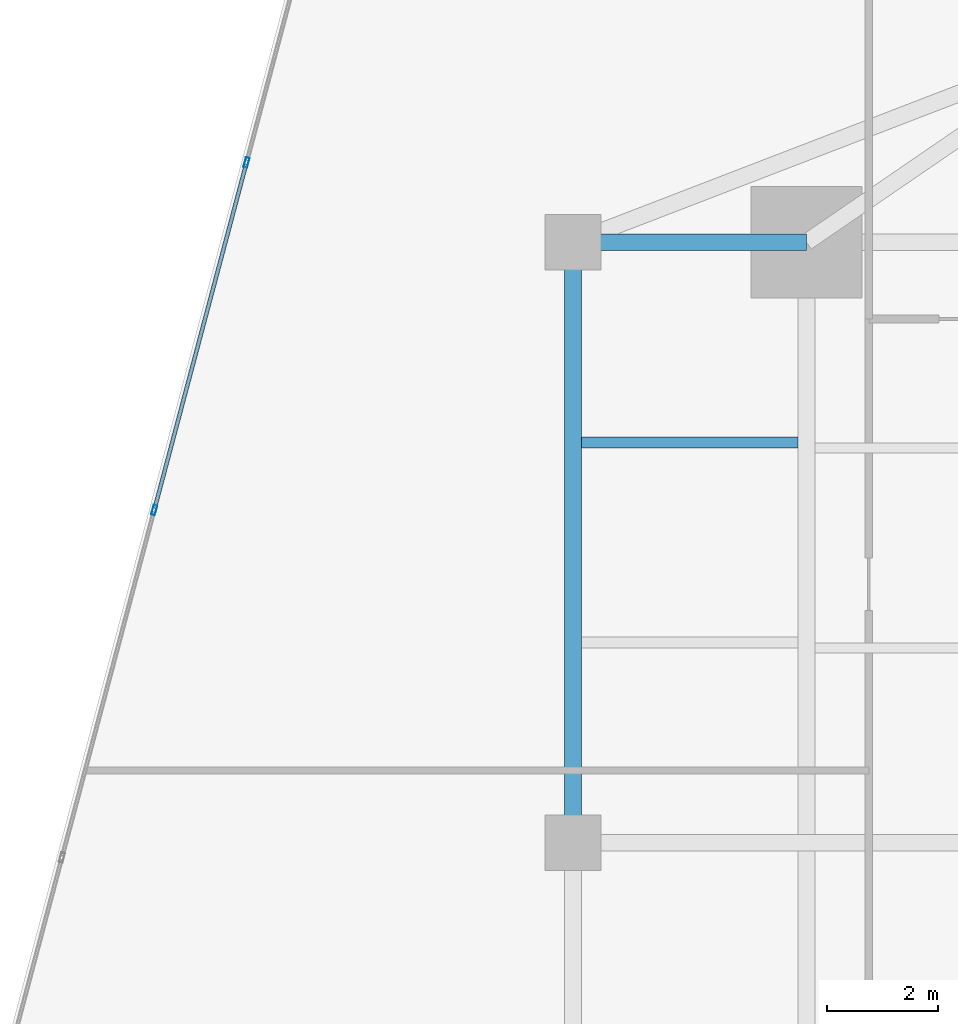
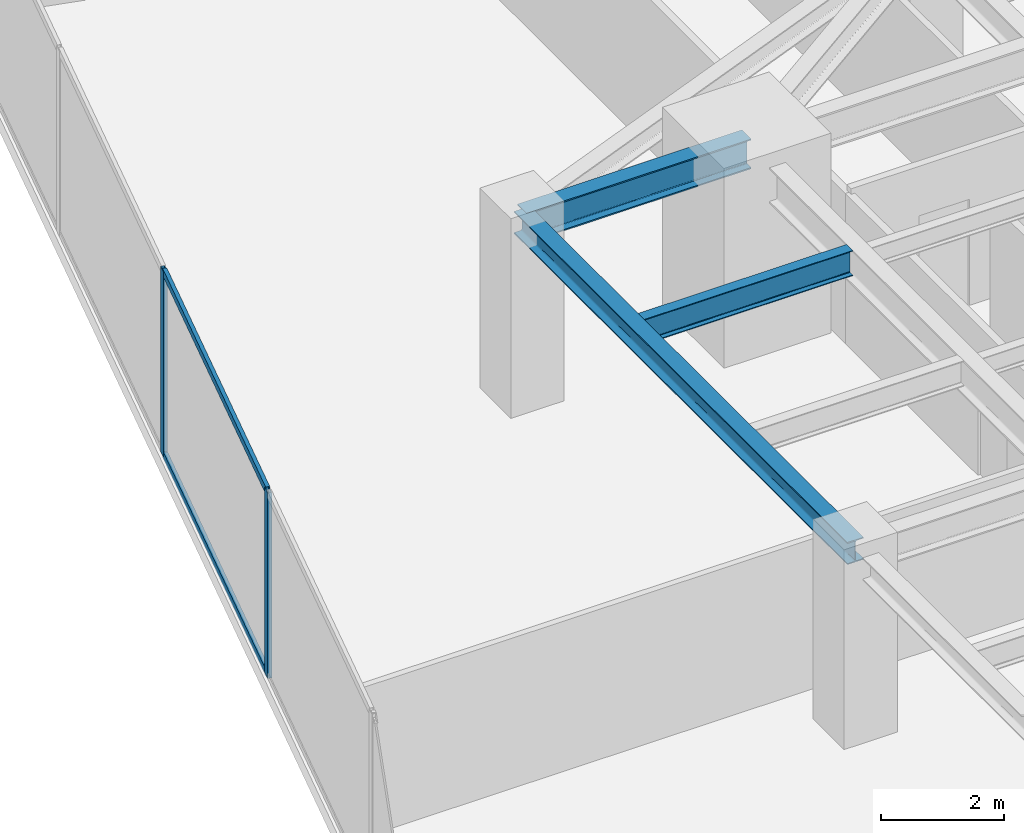
# One storey, part 14 of 27: 4 members, 3 beams, 1 element without a shape of its own.
"""IFC4 building model written with IfcOpenShell, lengths in metres."""

from ifc_helpers import new_model, si_unit, direction, frame, origin, origin_2d, place, context, subcontext, project, spatial, hollow_rectangle, i_section, extrude, source, transform, mapped, material, material_profile, profile_set, type_object, type_shapes, element, aggregate, save


model = new_model("IFC4")

# Units and contexts
model_context = context("Model", 3, precision=1e-05, world=origin(), true_north=direction((0.0, 1.0)))
body_context = subcontext(model_context, "Body", "Model", "MODEL_VIEW")
ifc_project = project(units=[si_unit("LENGTHUNIT", "METRE"), si_unit("AREAUNIT", "SQUARE_METRE"), si_unit("VOLUMEUNIT", "CUBIC_METRE"), si_unit("PLANEANGLEUNIT", "RADIAN"), si_unit("MASSUNIT", "GRAM", prefix="KILO")], contexts=[model_context])

# Site, building, storey
site_placement = place(None, origin())
site = spatial("IfcSite", under=ifc_project, at=site_placement, CompositionType="ELEMENT")
building_placement = place(site_placement, origin())
building = spatial("IfcBuilding", under=site, at=building_placement, Name="Krantzveldt Concourse Tower", CompositionType="ELEMENT")
storey_placement = place(building_placement, frame((0.0, 0.0, 105.85009765625)))
storey = spatial("IfcBuildingStorey", under=building, at=storey_placement, Name="L25", CompositionType="ELEMENT", Elevation=105.85009765625)

# Beams
ifc_material_1 = material(Name="Steel S355JR", Category="steel")
ifc_material_profile_1 = material_profile(ifc_material_1, i_section(OverallWidth=0.300048828125, OverallDepth=0.43994140625, WebThickness=0.011474609375, FlangeThickness=0.02099609375, FilletRadius=0.027099609375, at=origin_2d()), Name="Steel S355JR", Category="steel")
ifc_profile_set_1 = profile_set([ifc_material_profile_1], Name="Steel S355JR - HEA 450")
beam_type_1 = type_object("IfcBeamType", Name="BM-SP-HEA450", PredefinedType="SPANDREL", material=ifc_profile_set_1)
shared_shape_1 = source(origin(), body_context, "Body", "SweptSolid", [
    extrude(i_section(OverallWidth=0.300048828125, OverallDepth=0.43994140625, WebThickness=0.011474609375, FlangeThickness=0.02099609375, FilletRadius=0.027099609375, at=origin_2d()), origin(), (0.0, 0.0, 1.0), 10.800048828125),
])
type_shapes(beam_type_1, [shared_shape_1])
beam_1_placement = place(storey_placement, frame((21.0, 26.699951171875, 3.449951171875), z_axis=(0.0, 1.0, 0.0), x_axis=(-1.0, 0.0, 0.0)))
element("IfcBeam", 1, at=beam_1_placement, inside=storey, type_object=beam_type_1, Name="L25 Tower Girder SP-R02", PredefinedType="SPANDREL", context=body_context, shape_type="MappedRepresentation", body=[
    mapped(shared_shape_1, transform((0.0, 0.0, 0.0), x_axis=(1.0, 0.0, 0.0), y_axis=(0.0, 1.0, 0.0), z_axis=(0.0, 0.0, 1.0), scale=1.0)),
])
ifc_material_profile_2 = material_profile(ifc_material_1, i_section(OverallWidth=0.300048828125, OverallDepth=0.590087890625, WebThickness=0.012939453125, FlangeThickness=0.02490234375, FilletRadius=0.027099609375, at=origin_2d()), Name="Steel S355JR", Category="steel")
ifc_profile_set_2 = profile_set([ifc_material_profile_2], Name="Steel S355JR - HEA 600")
beam_type_2 = type_object("IfcBeamType", Name="BM-B-HEA600", PredefinedType="BEAM", material=ifc_profile_set_2)
shared_shape_2 = source(origin(), body_context, "Body", "SweptSolid", [
    extrude(i_section(OverallWidth=0.300048828125, OverallDepth=0.590087890625, WebThickness=0.012939453125, FlangeThickness=0.02490234375, FilletRadius=0.027099609375, at=origin_2d()), origin(), (0.0, 0.0, 1.0), 4.199951171875),
])
type_shapes(beam_type_2, [shared_shape_2])
beam_2_placement = place(storey_placement, frame((21.0, 37.5, 3.375), z_axis=(1.0, 0.0, 0.0), x_axis=(0.0, 1.0, 0.0)))
element("IfcBeam", 2, at=beam_2_placement, inside=storey, type_object=beam_type_2, Name="L25 Tower Girder BR-RL3", PredefinedType="BEAM", context=body_context, shape_type="MappedRepresentation", body=[
    mapped(shared_shape_2, transform((0.0, 0.0, 0.0), x_axis=(1.0, 0.0, 0.0), y_axis=(0.0, 1.0, 0.0), z_axis=(0.0, 0.0, 1.0), scale=1.0)),
])
ifc_material_profile_3 = material_profile(ifc_material_1, i_section(OverallWidth=0.199951171875, OverallDepth=0.5, WebThickness=0.01025390625, FlangeThickness=0.01611328125, FilletRadius=0.02099609375, at=origin_2d()), Name="Steel S355JR", Category="steel")
ifc_profile_set_3 = profile_set([ifc_material_profile_3], Name="Steel S355JR - IPE 500")
beam_type_3 = type_object("IfcBeamType", Name="BM-J-IPE500", PredefinedType="JOIST", material=ifc_profile_set_3)
shared_shape_3 = source(origin(), body_context, "Body", "SweptSolid", [
    extrude(i_section(OverallWidth=0.199951171875, OverallDepth=0.5, WebThickness=0.01025390625, FlangeThickness=0.01611328125, FilletRadius=0.02099609375, at=origin_2d()), origin(), (0.0, 0.0, 1.0), 3.900146484375),
])
type_shapes(beam_type_3, [shared_shape_3])
beam_3_placement = place(storey_placement, frame((21.14990234375, 33.89990234375, 3.419921875), z_axis=(1.0, 0.0, 0.0), x_axis=(0.0, 1.0, 0.0)))
element("IfcBeam", 3, at=beam_3_placement, inside=storey, type_object=beam_type_3, Name="L25 Secondary Floor Joist JW-4", PredefinedType="JOIST", context=body_context, shape_type="MappedRepresentation", body=[
    mapped(shared_shape_3, transform((0.0, 0.0, 0.0), x_axis=(1.0, 0.0, 0.0), y_axis=(0.0, 1.0, 0.0), z_axis=(0.0, 0.0, 1.0), scale=1.0)),
])

# Curtain wall, members
ifc_material_2 = material(Name="Anodised aluminium 6063-T6", Category="aluminium")
curtain_wall_type = type_object("IfcCurtainWallType", Name="CW2", PredefinedType="USERDEFINED", material=ifc_material_2)
curtain_wall_placement = place(storey_placement, origin())
curtain_wall = element("IfcCurtainWall", 4, at=curtain_wall_placement, inside=storey, type_object=curtain_wall_type, Name="CW-L25-F01", ObjectType="UNITISED CURTAIN WALL", PredefinedType="USERDEFINED")
ifc_material_profile_4 = material_profile(ifc_material_2, hollow_rectangle(XDim=0.070068359375, YDim=0.179931640625, WallThickness=0.0048828125, at=origin_2d()), Name="Anodised aluminium 6063-T6", Category="aluminium")
ifc_profile_set_4 = profile_set([ifc_material_profile_4], Name="Anodised aluminium 6063-T6 - ALU-MULL 180x70x5")
member_type_1 = type_object("IfcMemberType", Name="CW-MUL-180", PredefinedType="MULLION", material=ifc_profile_set_4)
shared_shape_4 = source(origin(), body_context, "Body", "SweptSolid", [
    extrude(hollow_rectangle(XDim=0.070068359375, YDim=0.179931640625, WallThickness=0.0048828125, at=origin_2d()), origin(), (0.0, 0.0, 1.0), 3.669921875),
])
type_shapes(member_type_1, [shared_shape_4])
member_1_placement = place(storey_placement, frame((15.131103515625, 38.933837890625, 0.0), z_axis=(0.0, 0.0, 1.0), x_axis=(0.966488186373, -0.256711093648, 0.0)))
member_1 = element("IfcMember", 5, at=member_1_placement, type_object=member_type_1, Name="CW-Z12 mullion 3", PredefinedType="MULLION", context=body_context, shape_type="MappedRepresentation", body=[
    mapped(shared_shape_4, transform((0.0, 0.0, 0.0), x_axis=(1.0, 0.0, 0.0), y_axis=(0.0, 1.0, 0.0), z_axis=(0.0, 0.0, 1.0), scale=1.0)),
])
member_2_placement = place(storey_placement, frame((13.47119140625, 32.683837890625, 0.0), z_axis=(0.0, 0.0, 1.0), x_axis=(0.966488186373, -0.256711093648, 0.0)))
member_2 = element("IfcMember", 6, at=member_2_placement, type_object=member_type_1, Name="CW-Z12 mullion 4", PredefinedType="MULLION", context=body_context, shape_type="MappedRepresentation", body=[
    mapped(shared_shape_4, transform((0.0, 0.0, 0.0), x_axis=(1.0, 0.0, 0.0), y_axis=(0.0, 1.0, 0.0), z_axis=(0.0, 0.0, 1.0), scale=1.0)),
])
ifc_material_profile_5 = material_profile(ifc_material_2, hollow_rectangle(XDim=0.070068359375, YDim=0.139892578125, WallThickness=0.0048828125, at=origin_2d()), Name="Anodised aluminium 6063-T6", Category="aluminium")
ifc_profile_set_5 = profile_set([ifc_material_profile_5], Name="Anodised aluminium 6063-T6 - ALU-TRAN 140x70x5")
member_type_2 = type_object("IfcMemberType", Name="CW-TRN-150", PredefinedType="USERDEFINED", material=ifc_profile_set_5)
shared_shape_5 = source(origin(), body_context, "Body", "SweptSolid", [
    extrude(hollow_rectangle(XDim=0.070068359375, YDim=0.139892578125, WallThickness=0.0048828125, at=origin_2d()), origin(), (0.0, 0.0, 1.0), 6.396728515625),
])
type_shapes(member_type_2, [shared_shape_5])
member_3_placement = place(storey_placement, frame((15.122314453125, 38.900146484375, 0.034912109375), z_axis=(-0.256707571528, -0.966489121884, 0.0), x_axis=(0.966489121884, -0.256707571528, 0.0)))
member_3 = element("IfcMember", 7, at=member_3_placement, type_object=member_type_2, Name="CW-Z12 transom 3.1", ObjectType="TRANSOM", PredefinedType="USERDEFINED", context=body_context, shape_type="MappedRepresentation", body=[
    mapped(shared_shape_5, transform((0.0, 0.0, 0.0), x_axis=(1.0, 0.0, 0.0), y_axis=(0.0, 1.0, 0.0), z_axis=(0.0, 0.0, 1.0), scale=1.0)),
])
member_4_placement = place(storey_placement, frame((15.122314453125, 38.900146484375, 3.635009765625), z_axis=(-0.256707571528, -0.966489121884, 0.0), x_axis=(0.966489121884, -0.256707571528, 0.0)))
member_4 = element("IfcMember", 8, at=member_4_placement, type_object=member_type_2, Name="CW-Z12 transom 3.2", ObjectType="TRANSOM", PredefinedType="USERDEFINED", context=body_context, shape_type="MappedRepresentation", body=[
    mapped(shared_shape_5, transform((0.0, 0.0, 0.0), x_axis=(1.0, 0.0, 0.0), y_axis=(0.0, 1.0, 0.0), z_axis=(0.0, 0.0, 1.0), scale=1.0)),
])
aggregate(curtain_wall, [member_1, member_2, member_3, member_4])

save(model, "model.ifc")
